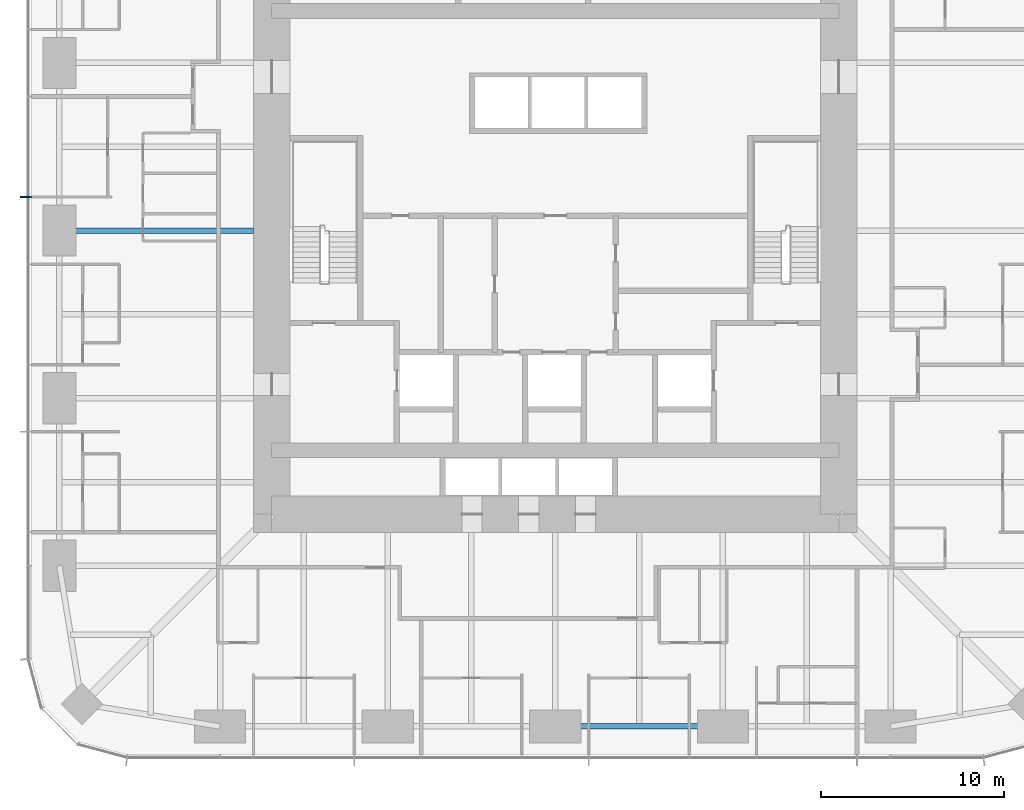
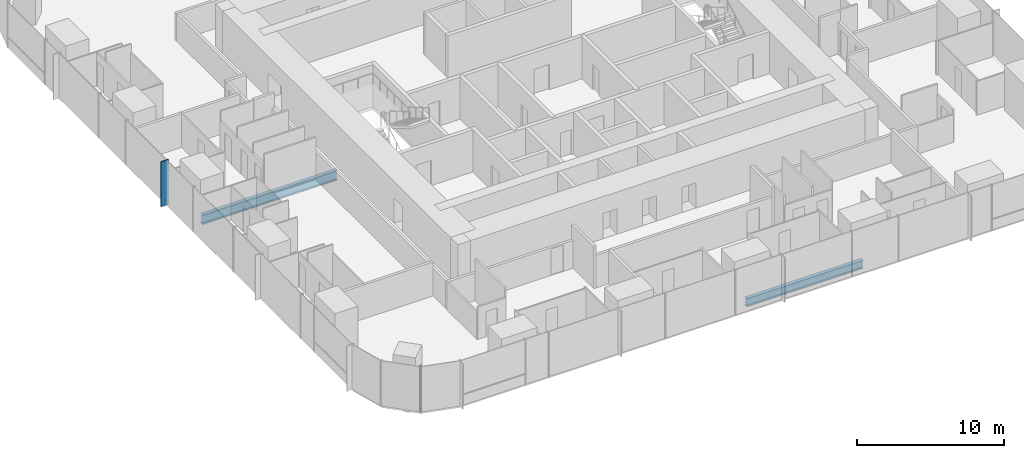
# One storey, part 3 of 13: 2 beams, 1 member, 1 element without a shape of its own.
"""IFC4 building model written with IfcOpenShell, lengths in metres."""

from ifc_helpers import new_model, si_unit, direction, frame, origin, origin_2d, place, context, subcontext, project, spatial, rectangle, i_section, extrude, material, material_profile, profile_set, type_object, element, aggregate, save


model = new_model("IFC4")

# Units and contexts
model_context = context("Model", 3, precision=1e-05, world=origin(), true_north=direction((0.0, 1.0)))
body_context = subcontext(model_context, "Body", "Model", "MODEL_VIEW")
ifc_project = project(units=[si_unit("LENGTHUNIT", "METRE"), si_unit("AREAUNIT", "SQUARE_METRE"), si_unit("VOLUMEUNIT", "CUBIC_METRE"), si_unit("PLANEANGLEUNIT", "RADIAN"), si_unit("MASSUNIT", "GRAM", prefix="KILO")], contexts=[model_context])

# Site, building, storey
site_placement = place(None, origin())
site = spatial("IfcSite", under=ifc_project, at=site_placement, CompositionType="ELEMENT")
building_placement = place(site_placement, origin())
building = spatial("IfcBuilding", under=site, at=building_placement, Name="Khuree Lantern Residences", CompositionType="ELEMENT")
storey_placement = place(building_placement, frame((0.0, 0.0, 144.75)))
storey = spatial("IfcBuildingStorey", under=building, at=storey_placement, Name="L36", CompositionType="ELEMENT", Elevation=144.75)

# Beam
ifc_material_1 = material(Name="Steel S355", Category="steel")
ifc_material_profile_1 = material_profile(ifc_material_1, i_section(OverallWidth=0.300048828125, OverallDepth=0.68994140625, WebThickness=0.014404296875, FlangeThickness=0.027099609375, FilletRadius=0.027099609375, at=origin_2d()), Name="HE 700 A")
ifc_profile_set_1 = profile_set([ifc_material_profile_1], Name="Steel S355")
beam_type_1 = type_object("IfcBeamType", Name="E-23 SPANDREL BEAM HE 700 A", PredefinedType="SPANDREL", material=ifc_profile_set_1)
beam_1_placement = place(storey_placement, frame((9.159912109375, -27.10009765625, -0.594970703125), z_axis=(-1.0, 0.0, 0.0), x_axis=(0.0, -1.0, 0.0)))
element("IfcBeam", 1, at=beam_1_placement, inside=storey, type_object=beam_type_1, Name="Spandrel beam S3", PredefinedType="SPANDREL", context=body_context, shape_type="SweptSolid", body=[
    extrude(i_section(OverallWidth=0.300048828125, OverallDepth=0.68994140625, WebThickness=0.014404296875, FlangeThickness=0.027099609375, FilletRadius=0.027099609375, at=origin_2d()), origin(), (0.0, 0.0, 1.0), 9.159912109375),
])

# Curtain wall, member
ifc_material_2 = material(Name="Bronze anodised aluminium", Category="aluminium")
curtain_wall_type = type_object("IfcCurtainWallType", Name="CW-T1 TOWER FACE CURTAIN WALL", PredefinedType="USERDEFINED", material=ifc_material_2)
curtain_wall_placement = place(storey_placement, origin())
curtain_wall = element("IfcCurtainWall", 2, at=curtain_wall_placement, inside=storey, type_object=curtain_wall_type, Name="L36 WEST FACE CURTAIN WALL", ObjectType="Stick-built curtain wall", PredefinedType="USERDEFINED")
ifc_material_profile_2 = material_profile(ifc_material_2, rectangle(XDim=0.06494140625, YDim=0.60009765625, at=origin_2d()), Name="F1 65X600")
ifc_profile_set_2 = profile_set([ifc_material_profile_2], Name="Bronze anodised aluminium")
member_type = type_object("IfcMemberType", Name="F1 BRONZE FIN MULLION TOWER 65X600", PredefinedType="MULLION", material=ifc_profile_set_2)
member_placement = place(storey_placement, frame((-28.949951171875, 1.83203125, 0.0), z_axis=(0.0, 0.0, 1.0), x_axis=(0.0, -1.0, 0.0)))
member = element("IfcMember", 3, at=member_placement, type_object=member_type, Name="L36 WEST FACE FIN MULLION 37", PredefinedType="MULLION", context=body_context, shape_type="SweptSolid", body=[
    extrude(rectangle(XDim=0.06494140625, YDim=0.60009765625, at=origin_2d()), origin(), (0.0, 0.0, 1.0), 3.75),
])
aggregate(curtain_wall, [member])

# Beam
ifc_material_profile_3 = material_profile(ifc_material_1, i_section(OverallWidth=0.300048828125, OverallDepth=0.800048828125, WebThickness=0.017578125, FlangeThickness=0.032958984375, FilletRadius=0.030029296875, at=origin_2d()), Name="HE 800 B")
ifc_profile_set_3 = profile_set([ifc_material_profile_3], Name="Steel S355")
beam_type_2 = type_object("IfcBeamType", Name="G-23 GIRDER HE 800 B", PredefinedType="BEAM", material=ifc_profile_set_3)
beam_2_placement = place(storey_placement, frame((-27.10009765625, 0.0, -0.64990234375), z_axis=(1.0, 0.0, 0.0), x_axis=(0.0, 1.0, 0.0)))
element("IfcBeam", 4, at=beam_2_placement, inside=storey, type_object=beam_type_2, Name="Girder W3", PredefinedType="BEAM", context=body_context, shape_type="SweptSolid", body=[
    extrude(i_section(OverallWidth=0.300048828125, OverallDepth=0.800048828125, WebThickness=0.017578125, FlangeThickness=0.032958984375, FilletRadius=0.030029296875, at=origin_2d()), origin(), (0.0, 0.0, 1.0), 10.60009765625),
])

save(model, "model.ifc")
